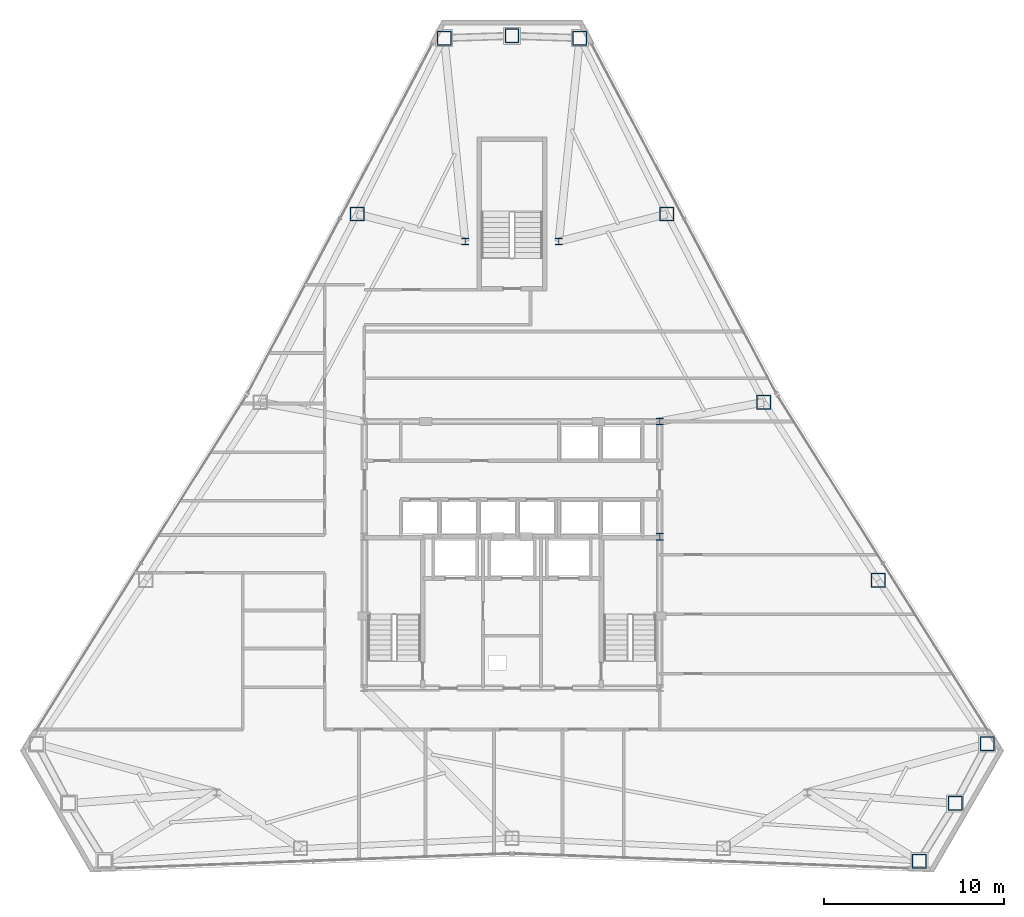
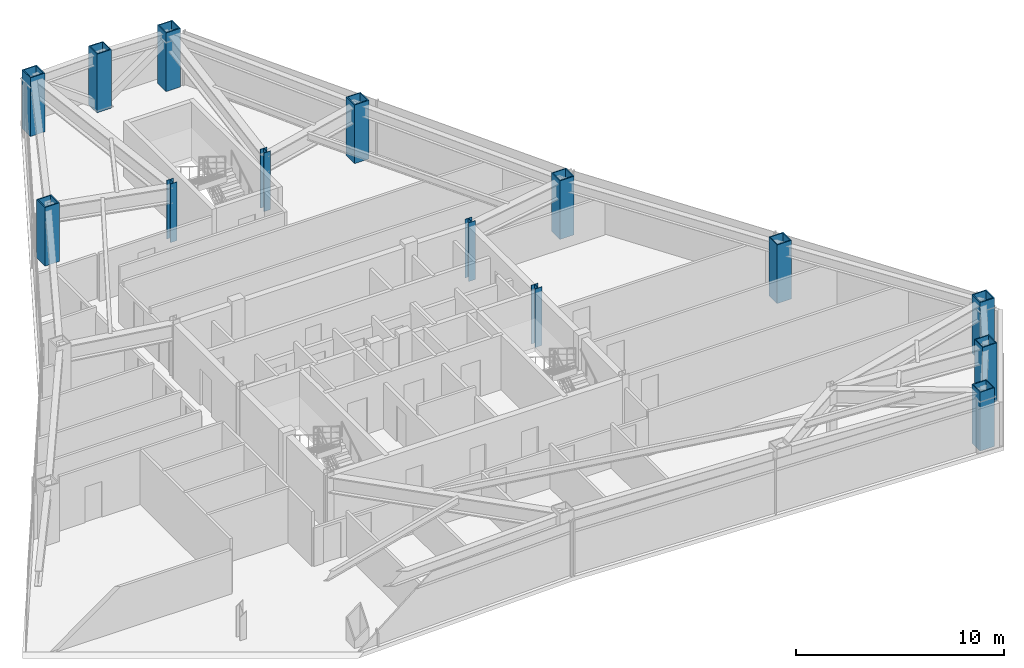
# One storey, part 2 of 13: 14 columns.
"""IFC4 building model written with IfcOpenShell, lengths in metres."""

from ifc_helpers import new_model, si_unit, direction, frame, origin, origin_2d, place, context, subcontext, project, spatial, hollow_rectangle, i_section, extrude, material, material_profile, profile_set, type_object, element, save


model = new_model("IFC4")

# Units and contexts
model_context = context("Model", 3, precision=1e-05, world=origin(), true_north=direction((0.0, 1.0)))
body_context = subcontext(model_context, "Body", "Model", "MODEL_VIEW")
ifc_project = project(units=[si_unit("LENGTHUNIT", "METRE"), si_unit("AREAUNIT", "SQUARE_METRE"), si_unit("VOLUMEUNIT", "CUBIC_METRE"), si_unit("PLANEANGLEUNIT", "RADIAN"), si_unit("MASSUNIT", "GRAM", prefix="KILO")], contexts=[model_context])

# Site, building, storey
site_placement = place(None, origin())
site = spatial("IfcSite", under=ifc_project, at=site_placement, CompositionType="ELEMENT")
building_placement = place(site_placement, origin())
building = spatial("IfcBuilding", under=site, at=building_placement, Name="Varakhsha Concourse Tower", CompositionType="ELEMENT")
storey_placement = place(building_placement, frame((0.0, 0.0, 172.35009765625)))
storey = spatial("IfcBuildingStorey", under=building, at=storey_placement, Name="L49", CompositionType="ELEMENT", Elevation=172.35009765625)

# Columns
ifc_material_1 = material(Name="Structural Steel ASTM A992 Grade 50", Category="steel")
ifc_material_profile_1 = material_profile(ifc_material_1, i_section(OverallWidth=0.3740234375, OverallDepth=0.3720703125, WebThickness=0.01611328125, FlangeThickness=0.02587890625, at=origin_2d()), Name="W14X132")
ifc_profile_set_1 = profile_set([ifc_material_profile_1], Name="Structural Steel ASTM A992 Grade 50")
column_type_1 = type_object("IfcColumnType", Name="CL-CORE-W14X132", PredefinedType="COLUMN", material=ifc_profile_set_1)
for number, where, z_axis, x_axis, name in (
    (1, (48.199951171875, 24.800048828125, 0.0), (0.0, 0.0, 1.0), (1.0, 0.0, 0.0), "L49 Core Column CC-ME"),
    (2, (48.199951171875, 31.199951171875, 0.0), (0.0, 0.0, 1.0), (1.0, 0.0, 0.0), "L49 Core Column CC-NE"),
    (3, (37.39990234375, 41.199951171875, 0.0), (0.0, 0.0, 1.0), (1.0, 0.0, 0.0), "L49 Core Column NS-W"),
    (4, (42.60009765625, 41.199951171875, 0.0), (0.0, 0.0, 1.0), (1.0, 0.0, 0.0), "L49 Core Column NS-E"),
):
    element("IfcColumn", number, at=place(storey_placement, frame(where, z_axis=z_axis, x_axis=x_axis)), inside=storey, type_object=column_type_1, Name=name, PredefinedType="COLUMN", context=body_context, shape_type="SweptSolid", body=[
        extrude(i_section(OverallWidth=0.3740234375, OverallDepth=0.3720703125, WebThickness=0.01611328125, FlangeThickness=0.02587890625, at=origin_2d()), origin(), (0.0, 0.0, 1.0), 3.449951171875),
    ])
ifc_material_2 = material(Name="Structural Steel ASTM A572 Grade 50", Category="steel")
ifc_material_profile_2 = material_profile(ifc_material_2, hollow_rectangle(XDim=0.800048828125, YDim=0.800048828125, WallThickness=0.054931640625, at=origin_2d()), Name="BOX 800x800x55")
ifc_profile_set_2 = profile_set([ifc_material_profile_2], Name="Structural Steel ASTM A572 Grade 50")
column_type_2 = type_object("IfcColumnType", Name="CL-TUBE-800", PredefinedType="COLUMN", material=ifc_profile_set_2)
for number, where, z_axis, x_axis, name in (
    (5, (43.7666015625, 52.4951171875, 0.0), (0.0, 0.0, 1.0), (1.0, 0.0, 0.0), "L49 Framed-Tube Column TC01"),
    (6, (40.0, 52.618408203125, 0.0), (0.0, 0.0, 1.0), (1.0, 0.0, 0.0), "L49 Framed-Tube Column TC02"),
    (7, (36.2333984375, 52.4951171875, 0.0), (0.0, 0.0, 1.0), (1.0, 0.0, 0.0), "L49 Framed-Tube Column TC03"),
    (8, (31.401611328125, 42.7255859375, 0.0), (0.0, 0.0, 1.0), (1.0, 0.0, 0.0), "L49 Framed-Tube Column TC04"),
    (9, (62.62109375, 6.79052734375, 0.0), (0.0, 0.0, 1.0), (1.0, 0.0, 0.0), "L49 Framed-Tube Column TC13"),
    (10, (64.611083984375, 9.99072265625, 0.0), (0.0, 0.0, 1.0), (1.0, 0.0, 0.0), "L49 Framed-Tube Column TC14"),
    (11, (66.3876953125, 13.314208984375, 0.0), (0.0, 0.0, 1.0), (1.0, 0.0, 0.0), "L49 Framed-Tube Column TC15"),
    (12, (60.3427734375, 22.383544921875, 0.0), (0.0, 0.0, 1.0), (1.0, 0.0, 0.0), "L49 Framed-Tube Column TC16"),
    (13, (53.976318359375, 32.269287109375, 0.0), (0.0, 0.0, 1.0), (1.0, 0.0, 0.0), "L49 Framed-Tube Column TC17"),
    (14, (48.598388671875, 42.7255859375, 0.0), (0.0, 0.0, 1.0), (1.0, 0.0, 0.0), "L49 Framed-Tube Column TC18"),
):
    element("IfcColumn", number, at=place(storey_placement, frame(where, z_axis=z_axis, x_axis=x_axis)), inside=storey, type_object=column_type_2, Name=name, PredefinedType="COLUMN", context=body_context, shape_type="SweptSolid", body=[
        extrude(hollow_rectangle(XDim=0.800048828125, YDim=0.800048828125, WallThickness=0.054931640625, at=origin_2d()), origin(), (0.0, 0.0, 1.0), 3.449951171875),
    ])

save(model, "model.ifc")
